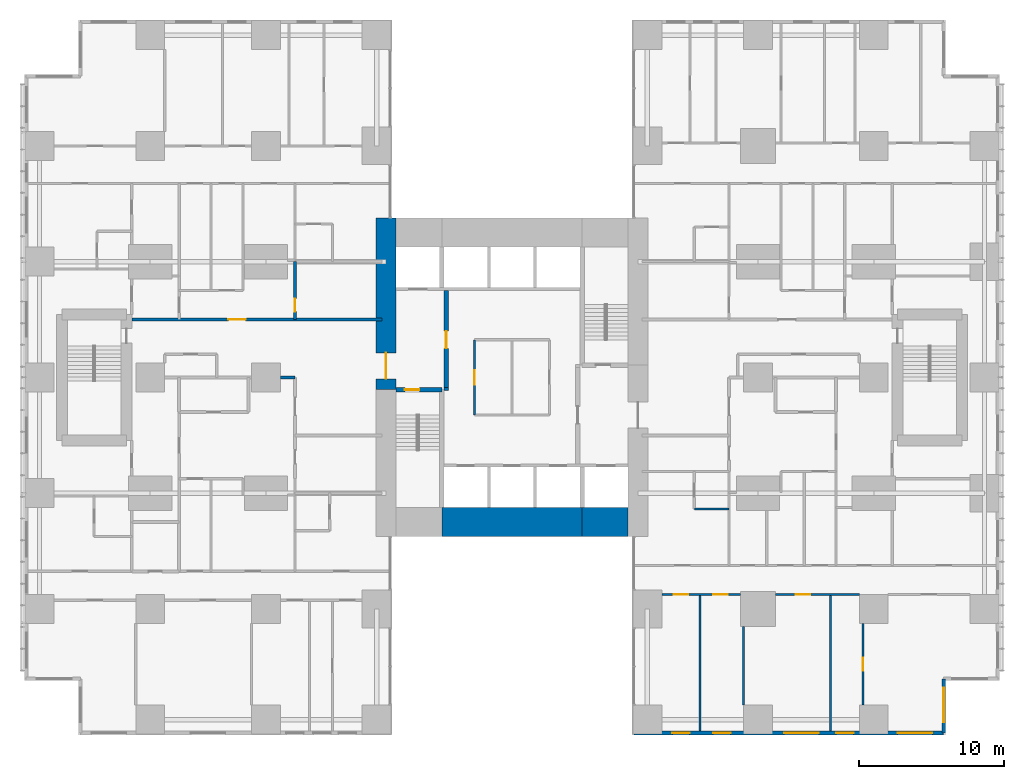
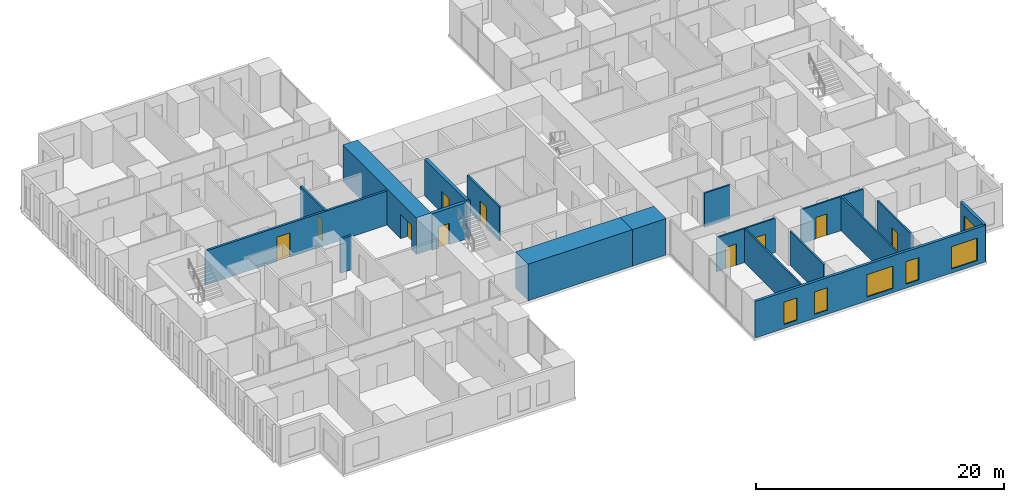
# One storey, part 14 of 20: 19 walls, 10 doors, 6 windows, 16 openings.
"""IFC4 building model written with IfcOpenShell, lengths in metres."""

import ifcopenshell
import ifcopenshell.guid

model = None  # the IFC model being written
_history = None  # IfcOwnerHistory: only IFC2X3 demands one
_inside = {}  # id of a spatial element -> (the spatial element, [elements in it])
_under = {}  # id of a project, library or spatial element -> (it, [spatial elements below it])
_declared = {}  # id of a project -> (the project, [libraries it declares])
_typed = {}  # id of a type object -> (the type object, [elements of that type])
_made_of = {}  # id of a material, layer set ... -> (it, [elements and type objects made of it])


def new_model(schema):
    """Start an empty IFC model of exactly this schema.

    Asked for "IFC4X3", IfcOpenShell would pick the latest addendum, in which some entities
    have other attributes; the version numbers below select the first issue.
    IFC2X3 requires an IfcOwnerHistory on every rooted entity: one is made here for all.
    """
    global model, _history
    if schema == "IFC4X3":
        model = ifcopenshell.file(schema_version=(4, 3, 0, 0))
    else:
        model = ifcopenshell.file(schema=schema)
    _inside.clear()
    _under.clear()
    _declared.clear()
    _typed.clear()
    _made_of.clear()
    _history = None
    if model.schema == "IFC2X3":
        org = make("IfcOrganization", Name="unknown")
        user = make(
            "IfcPersonAndOrganization",
            ThePerson=make("IfcPerson", FamilyName="unknown"),
            TheOrganization=org,
        )
        app = make(
            "IfcApplication",
            ApplicationDeveloper=org,
            Version="unknown",
            ApplicationFullName="unknown",
            ApplicationIdentifier="unknown",
        )
        _history = make(
            "IfcOwnerHistory",
            OwningUser=user,
            OwningApplication=app,
            ChangeAction="ADDED",
            CreationDate=0,
        )
    return model


def make(cls, **values):
    """One entity of the class cls with the attributes given. An attribute that is None is left unset."""
    return model.create_entity(
        cls, **{name: value for name, value in values.items() if value is not None}
    )


def rooted(cls, **values):
    """An entity with a GlobalId (a new one), such as an element, a storey or a relation."""
    return make(cls, GlobalId=ifcopenshell.guid.new(), OwnerHistory=_history, **values)


def si_unit(unit_type, name, prefix=None):
    """IfcSIUnit, for example si_unit("LENGTHUNIT", "METRE", prefix="MILLI")."""
    return make("IfcSIUnit", UnitType=unit_type, Prefix=prefix, Name=name)


def assignment(units):
    """IfcUnitAssignment: the units of a project."""
    return None if units is None else make("IfcUnitAssignment", Units=units)


def point(xyz):
    """IfcCartesianPoint."""
    return None if xyz is None else make("IfcCartesianPoint", Coordinates=xyz)


def direction(xyz):
    """IfcDirection."""
    return None if xyz is None else make("IfcDirection", DirectionRatios=xyz)


def frame(location, z_axis=None, x_axis=None):
    """IfcAxis2Placement3D, a coordinate frame: its origin and axes. An axis left out is left unset."""
    return make(
        "IfcAxis2Placement3D",
        Location=point(location),
        Axis=direction(z_axis),
        RefDirection=direction(x_axis),
    )


def frame_2d(location, x_axis=None):
    """IfcAxis2Placement2D, a coordinate frame in the plane: its origin and x axis."""
    return make(
        "IfcAxis2Placement2D", Location=point(location), RefDirection=direction(x_axis)
    )


def origin():
    """The frame at (0, 0, 0) with its axes left unset."""
    return frame((0.0, 0.0, 0.0))


def place(relative_to, where):
    """IfcLocalPlacement: puts the frame where relative to a parent placement (None: the world)."""
    return make(
        "IfcLocalPlacement", PlacementRelTo=relative_to, RelativePlacement=where
    )


def context(
    kind, dimensions, precision=None, world=None, true_north=None, identifier=None
):
    """IfcGeometricRepresentationContext, for example the 3D "Model" context."""
    return make(
        "IfcGeometricRepresentationContext",
        ContextIdentifier=identifier,
        ContextType=kind,
        CoordinateSpaceDimension=dimensions,
        Precision=precision,
        WorldCoordinateSystem=world,
        TrueNorth=true_north,
    )


def subcontext(parent, identifier, kind, view, scale=None):
    """IfcGeometricRepresentationSubContext, for example "Body" below "Model"."""
    return make(
        "IfcGeometricRepresentationSubContext",
        ContextIdentifier=identifier,
        ContextType=kind,
        ParentContext=parent,
        TargetScale=scale,
        TargetView=view,
    )


def project(units=None, contexts=None):
    """IfcProject with its units and contexts."""
    return rooted(
        "IfcProject",
        Name="project",
        RepresentationContexts=contexts,
        UnitsInContext=assignment(units),
    )


def spatial(cls, under=None, at=None, **own):
    """A site, building, storey or space (cls), placed at a placement, below another one or the project."""
    s = rooted(cls, ObjectPlacement=at, **own)
    if under is not None:
        _under.setdefault(under.id(), (under, []))[1].append(s)
    return s


def profile(cls, at=None, kind="AREA", **sizes):
    """A parametric profile (cls). Its sizes go by their IFC names, for example OverallWidth=200.0."""
    return make(cls, ProfileType=kind, Position=at, **sizes)


def rectangle(**sizes):
    """IfcRectangleProfileDef."""
    return profile("IfcRectangleProfileDef", **sizes)


def extrude(swept, where, along, depth):
    """IfcExtrudedAreaSolid: the profile swept, set in the frame where, extruded along a direction by depth."""
    return make(
        "IfcExtrudedAreaSolid",
        SweptArea=swept,
        Position=where,
        ExtrudedDirection=direction(along),
        Depth=depth,
    )


def shape(context_of_items, identifier, shape_type, items):
    """IfcShapeRepresentation: the items that make up one representation, for example the "Body"."""
    return make(
        "IfcShapeRepresentation",
        ContextOfItems=context_of_items,
        RepresentationIdentifier=identifier,
        RepresentationType=shape_type,
        Items=items,
    )


def material(Name=None, Category=None):
    """IfcMaterial."""
    return make("IfcMaterial", Name=Name, Category=Category)


def layer(
    of_material, thickness, ventilated=None, Name=None, Category=None, Priority=None
):
    """IfcMaterialLayer: one layer of a wall or slab, of a material (None: an air gap)."""
    return make(
        "IfcMaterialLayer",
        Material=of_material,
        LayerThickness=thickness,
        IsVentilated=ventilated,
        Name=Name,
        Category=Category,
        Priority=Priority,
    )


def layer_set(layers, Name=None):
    """IfcMaterialLayerSet."""
    return make("IfcMaterialLayerSet", MaterialLayers=layers, LayerSetName=Name)


def made_of(thing, what):
    """Note that an element or type object is made of a material, layer set ...; save() writes the relation."""
    if what is not None:
        _made_of.setdefault(what.id(), (what, []))[1].append(thing)
    return thing


def type_object(cls, material=None, **own):
    """A type object (cls), such as IfcWallType, which elements share."""
    return made_of(rooted(cls, **own), material)


def element(
    cls,
    number,
    at=None,
    inside=None,
    cuts=None,
    type_object=None,
    material=None,
    context=None,
    identifier="Body",
    shape_type=None,
    held_by="IfcProductDefinitionShape",
    body=None,
    shapes=None,
    **own,
):
    """One element of the class cls, such as IfcWall. Its Tag is "e" and its number.

    at: its placement. inside: the storey or other place that contains it. cuts: it is an
    opening in that element (IfcRelVoidsElement). A single representation is given by context,
    identifier, shape_type and body (its items); several are given by shapes. held_by: the class
    of the entity that holds the representations. save() writes the other relations.
    """
    e = rooted(cls, Tag="e%d" % number, ObjectPlacement=at, **own)
    if body is not None:
        shapes = [shape(context, identifier, shape_type, body)]
    if shapes is not None:
        e.Representation = make(held_by, Representations=shapes)
    if inside is not None:
        _inside.setdefault(inside.id(), (inside, []))[1].append(e)
    if cuts is not None:
        rooted(
            "IfcRelVoidsElement", RelatingBuildingElement=cuts, RelatedOpeningElement=e
        )
    if type_object is not None:
        _typed.setdefault(type_object.id(), (type_object, []))[1].append(e)
    return made_of(e, material)


def fill(opening, filler):
    """IfcRelFillsElement: the door or window that sits in an opening."""
    return rooted(
        "IfcRelFillsElement",
        RelatingOpeningElement=opening,
        RelatedBuildingElement=filler,
    )


def aggregate(whole, parts):
    """IfcRelAggregates: a whole, such as a stair, and the parts it consists of."""
    return rooted("IfcRelAggregates", RelatingObject=whole, RelatedObjects=parts)


def save(model, path):
    """Write the relations noted so far, then the file.

    IfcRelAggregates (storeys below a building ...), IfcRelContainedInSpatialStructure (elements
    in a storey), IfcRelDefinesByType, IfcRelAssociatesMaterial and IfcRelDeclares: one each for
    every whole, place, type object, material and project.
    """
    for whole, parts in _under.values():
        aggregate(whole, parts)
    for where, things in _inside.values():
        rooted(
            "IfcRelContainedInSpatialStructure",
            RelatedElements=things,
            RelatingStructure=where,
        )
    for kind, things in _typed.values():
        rooted("IfcRelDefinesByType", RelatedObjects=things, RelatingType=kind)
    for what, things in _made_of.values():
        rooted("IfcRelAssociatesMaterial", RelatedObjects=things, RelatingMaterial=what)
    for by, libraries in _declared.values():
        rooted("IfcRelDeclares", RelatingContext=by, RelatedDefinitions=libraries)
    model.write(path)


model = new_model("IFC4")

# Units and contexts
model_context = context("Model", 3, precision=1e-05, world=origin(), true_north=direction((0.0, 1.0)))
body_context = subcontext(model_context, "Body", "Model", "MODEL_VIEW")
ifc_project = project(units=[si_unit("LENGTHUNIT", "METRE"), si_unit("AREAUNIT", "SQUARE_METRE"), si_unit("VOLUMEUNIT", "CUBIC_METRE"), si_unit("PLANEANGLEUNIT", "RADIAN"), si_unit("MASSUNIT", "GRAM", prefix="KILO")], contexts=[model_context])

# Site, building, storey
site_placement = place(None, origin())
site = spatial("IfcSite", under=ifc_project, at=site_placement, CompositionType="ELEMENT")
building_placement = place(site_placement, origin())
building = spatial("IfcBuilding", under=site, at=building_placement, Name="Cleftline Residences", CompositionType="ELEMENT")
storey_placement = place(building_placement, frame((0.0, 0.0, 153.800048828125)))
storey = spatial("IfcBuildingStorey", under=building, at=storey_placement, Name="L40", CompositionType="ELEMENT", Elevation=153.800048828125)

# Wall, opening, door
ifc_material_1 = material(Name="Concrete B70", Category="concrete")
ifc_layer_1 = layer(ifc_material_1, 1.39990234375)
ifc_layer_set_1 = layer_set([ifc_layer_1], Name="CORE WALL 1400")
wall_type_1 = type_object("IfcWallType", Name="CORE WALL 1400", PredefinedType="SHEAR", material=ifc_layer_set_1)
wall_1_placement = place(storey_placement, frame((24.300048828125, 23.14990234375, 0.0), z_axis=(0.0, 0.0, 1.0), x_axis=(0.0, 1.0, 0.0)))
wall_1 = element("IfcWall", 1, at=wall_1_placement, inside=storey, type_object=wall_type_1, Name="Core wall W", PredefinedType="SHEAR", context=body_context, shape_type="SweptSolid", body=[
    extrude(rectangle(XDim=11.85009765625, YDim=1.39990234375, at=frame_2d((5.925048828125, 0.0))), origin(), (0.0, 0.0, 1.0), 3.599853515625),
])
opening_1_placement = place(wall_1_placement, frame((0.75, 0.0, 0.0)))
opening_1 = element("IfcOpeningElement", 2, at=opening_1_placement, cuts=wall_1, Name="Opening D7", PredefinedType="OPENING", context=body_context, shape_type="SweptSolid", body=[
    extrude(rectangle(XDim=1.800048828125, YDim=2.39990234375, at=frame_2d((0.89990234375, 1.199951171875))), frame((0.0, 0.7099609375, 0.0), z_axis=(0.0, -1.0, 0.0), x_axis=(1.0, 0.0, 0.0)), (0.0, 0.0, 1.0), 1.419921875),
])
ifc_material_2 = material(Name="Steel", Category="steel")
door_type_1 = type_object("IfcDoorType", Name="WING DOOR 1800X2400", OperationType="DOUBLE_DOOR_DOUBLE_SWING", PredefinedType="DOOR", material=ifc_material_2)
door_1_placement = place(opening_1_placement, origin())
door_1 = element("IfcDoor", 3, at=door_1_placement, inside=storey, type_object=door_type_1, Name="West wing door", OperationType="DOUBLE_DOOR_DOUBLE_SWING", OverallHeight=2.39990234375, OverallWidth=1.800048828125, PredefinedType="DOOR", context=body_context, shape_type="SweptSolid", body=[
    extrude(rectangle(XDim=1.800048828125, YDim=2.39990234375, at=frame_2d((0.89990234375, 1.199951171875))), frame((0.0, 0.02490234375, 0.0), z_axis=(0.0, -1.0, 0.0), x_axis=(1.0, 0.0, 0.0)), (0.0, 0.0, 1.0), 0.050048828125),
])
fill(opening_1, door_1)

# Walls
ifc_material_3 = material(Name="Concrete B70", Category="concrete")
ifc_layer_2 = layer(ifc_material_3, 2.0)
ifc_layer_set_2 = layer_set([ifc_layer_2], Name="CORE WALL 2000")
wall_type_2 = type_object("IfcWallType", Name="CORE WALL 2000", PredefinedType="SHEAR", material=ifc_layer_set_2)
wall_2_placement = place(storey_placement, frame((28.14990234375, 14.0, 0.0), z_axis=(0.0, 0.0, 1.0), x_axis=(1.0, 0.0, 0.0)))
element("IfcWall", 4, at=wall_2_placement, inside=storey, type_object=wall_type_2, Name="Core wall S2", PredefinedType="SHEAR", context=body_context, shape_type="SweptSolid", body=[
    extrude(rectangle(XDim=9.7001953125, YDim=2.0, at=frame_2d((4.85009765625, 0.0))), origin(), (0.0, 0.0, 1.0), 3.599853515625),
])
wall_3_placement = place(storey_placement, frame((37.85009765625, 14.0, 0.0), z_axis=(0.0, 0.0, 1.0), x_axis=(1.0, 0.0, 0.0)))
element("IfcWall", 5, at=wall_3_placement, inside=storey, type_object=wall_type_2, Name="Core wall S3", PredefinedType="SHEAR", context=body_context, shape_type="SweptSolid", body=[
    extrude(rectangle(XDim=3.14990234375, YDim=2.0, at=frame_2d((1.574951171875, 0.0))), origin(), (0.0, 0.0, 1.0), 3.599853515625),
])

# Wall, opening, door
ifc_material_4 = material(Name="Concrete B70", Category="concrete")
ifc_layer_3 = layer(ifc_material_4, 0.300048828125)
ifc_layer_set_3 = layer_set([ifc_layer_3], Name="CORE WALL 300")
wall_type_3 = type_object("IfcWallType", Name="CORE WALL 300", PredefinedType="SHEAR", material=ifc_layer_set_3)
wall_4_placement = place(storey_placement, frame((25.0, 23.14990234375, 0.0), z_axis=(0.0, 0.0, 1.0), x_axis=(1.0, 0.0, 0.0)))
wall_4 = element("IfcWall", 6, at=wall_4_placement, inside=storey, type_object=wall_type_3, Name="Core wall SA-N", PredefinedType="SHEAR", context=body_context, shape_type="SweptSolid", body=[
    extrude(rectangle(XDim=3.14990234375, YDim=0.300048828125, at=frame_2d((1.574951171875, 0.0))), origin(), (0.0, 0.0, 1.0), 3.599853515625),
])
opening_2_placement = place(wall_4_placement, frame((0.60009765625, 0.0, 0.0)))
opening_2 = element("IfcOpeningElement", 7, at=opening_2_placement, cuts=wall_4, Name="Opening D5", PredefinedType="OPENING", context=body_context, shape_type="SweptSolid", body=[
    extrude(rectangle(XDim=1.0, YDim=2.10009765625, at=frame_2d((0.5, 1.050048828125))), frame((0.0, 0.159912109375, 0.0), z_axis=(0.0, -1.0, 0.0), x_axis=(1.0, 0.0, 0.0)), (0.0, 0.0, 1.0), 0.320068359375),
])
ifc_material_5 = material(Name="Steel", Category="steel")
door_type_2 = type_object("IfcDoorType", Name="STAIR DOOR 1000X2100", OperationType="SINGLE_SWING_LEFT", PredefinedType="DOOR", material=ifc_material_5)
door_2_placement = place(opening_2_placement, origin())
door_2 = element("IfcDoor", 8, at=door_2_placement, inside=storey, type_object=door_type_2, Name="Stair A door", OperationType="SINGLE_SWING_RIGHT", OverallHeight=2.10009765625, OverallWidth=1.0, PredefinedType="DOOR", context=body_context, shape_type="SweptSolid", body=[
    extrude(rectangle(XDim=1.0, YDim=2.10009765625, at=frame_2d((0.5, 1.050048828125))), frame((0.0, 0.02490234375, 0.0), z_axis=(0.0, -1.0, 0.0), x_axis=(1.0, 0.0, 0.0)), (0.0, 0.0, 1.0), 0.050048828125),
])
fill(opening_2, door_2)

# Wall, openings, windows
ifc_material_6 = material(Name="Rendered reinforced concrete blockwork", Category="masonry")
ifc_layer_4 = layer(ifc_material_6, 0.25)
ifc_layer_set_4 = layer_set([ifc_layer_4], Name="EXTERNAL WALL 250")
wall_type_4 = type_object("IfcWallType", Name="EXTERNAL WALL 250", PredefinedType="SOLIDWALL", material=ifc_layer_set_4)
wall_5_placement = place(storey_placement, frame((41.425048828125, -0.574951171875, 0.0), z_axis=(0.0, 0.0, 1.0), x_axis=(1.0, 0.0, 0.0)))
wall_5 = element("IfcWall", 9, at=wall_5_placement, inside=storey, type_object=wall_type_4, Name="External wall", PredefinedType="SOLIDWALL", context=body_context, shape_type="SweptSolid", body=[
    extrude(rectangle(XDim=21.39990234375, YDim=0.25, at=frame_2d((10.699951171875, 0.0))), origin(), (0.0, 0.0, 1.0), 3.599853515625),
])
opening_3_placement = place(wall_5_placement, frame((2.64990234375, 0.0, 0.39990234375)))
opening_3 = element("IfcOpeningElement", 10, at=opening_3_placement, cuts=wall_5, Name="Opening W11", PredefinedType="OPENING", context=body_context, shape_type="SweptSolid", body=[
    extrude(rectangle(XDim=1.199951171875, YDim=2.199951171875, at=frame_2d((0.60009765625, 1.10009765625))), frame((0.0, 0.135009765625, 0.0), z_axis=(0.0, -1.0, 0.0), x_axis=(1.0, 0.0, 0.0)), (0.0, 0.0, 1.0), 0.27001953125),
])
opening_4_placement = place(wall_5_placement, frame((5.47509765625, 0.0, 0.39990234375)))
opening_4 = element("IfcOpeningElement", 11, at=opening_4_placement, cuts=wall_5, Name="Opening W11", PredefinedType="OPENING", context=body_context, shape_type="SweptSolid", body=[
    extrude(rectangle(XDim=1.199951171875, YDim=2.199951171875, at=frame_2d((0.60009765625, 1.10009765625))), frame((0.0, 0.135009765625, 0.0), z_axis=(0.0, -1.0, 0.0), x_axis=(1.0, 0.0, 0.0)), (0.0, 0.0, 1.0), 0.27001953125),
])
opening_5_placement = place(wall_5_placement, frame((10.375, 0.0, 0.39990234375)))
opening_5 = element("IfcOpeningElement", 12, at=opening_5_placement, cuts=wall_5, Name="Opening W12", PredefinedType="OPENING", context=body_context, shape_type="SweptSolid", body=[
    extrude(rectangle(XDim=2.39990234375, YDim=2.199951171875, at=frame_2d((1.199951171875, 1.10009765625))), frame((0.0, 0.135009765625, 0.0), z_axis=(0.0, -1.0, 0.0), x_axis=(1.0, 0.0, 0.0)), (0.0, 0.0, 1.0), 0.27001953125),
])
opening_6_placement = place(wall_5_placement, frame((13.97509765625, 0.0, 0.39990234375)))
opening_6 = element("IfcOpeningElement", 13, at=opening_6_placement, cuts=wall_5, Name="Opening W11", PredefinedType="OPENING", context=body_context, shape_type="SweptSolid", body=[
    extrude(rectangle(XDim=1.199951171875, YDim=2.199951171875, at=frame_2d((0.60009765625, 1.10009765625))), frame((0.0, 0.135009765625, 0.0), z_axis=(0.0, -1.0, 0.0), x_axis=(1.0, 0.0, 0.0)), (0.0, 0.0, 1.0), 0.27001953125),
])
opening_7_placement = place(wall_5_placement, frame((18.22509765625, 0.0, 0.39990234375)))
opening_7 = element("IfcOpeningElement", 14, at=opening_7_placement, cuts=wall_5, Name="Opening W12", PredefinedType="OPENING", context=body_context, shape_type="SweptSolid", body=[
    extrude(rectangle(XDim=2.39990234375, YDim=2.199951171875, at=frame_2d((1.199951171875, 1.10009765625))), frame((0.0, 0.135009765625, 0.0), z_axis=(0.0, -1.0, 0.0), x_axis=(1.0, 0.0, 0.0)), (0.0, 0.0, 1.0), 0.27001953125),
])
ifc_material_7 = material(Name="Aluminium frame, clear double glazing", Category="aluminium")
window_type_1 = type_object("IfcWindowType", Name="WINDOW 1200X2200", PartitioningType="DOUBLE_PANEL_VERTICAL", PredefinedType="WINDOW", material=ifc_material_7)
window_1_placement = place(opening_3_placement, origin())
window_1 = element("IfcWindow", 15, at=window_1_placement, inside=storey, type_object=window_type_1, Name="Window", OverallHeight=2.199951171875, OverallWidth=1.199951171875, PartitioningType="SINGLE_PANEL", PredefinedType="WINDOW", context=body_context, shape_type="SweptSolid", body=[
    extrude(rectangle(XDim=1.199951171875, YDim=2.199951171875, at=frame_2d((0.60009765625, 1.10009765625))), frame((0.0, 0.030029296875, 0.0), z_axis=(0.0, -1.0, 0.0), x_axis=(1.0, 0.0, 0.0)), (0.0, 0.0, 1.0), 0.06005859375),
])
fill(opening_3, window_1)
window_2_placement = place(opening_4_placement, origin())
window_2 = element("IfcWindow", 16, at=window_2_placement, inside=storey, type_object=window_type_1, Name="Window", OverallHeight=2.199951171875, OverallWidth=1.199951171875, PartitioningType="SINGLE_PANEL", PredefinedType="WINDOW", context=body_context, shape_type="SweptSolid", body=[
    extrude(rectangle(XDim=1.199951171875, YDim=2.199951171875, at=frame_2d((0.60009765625, 1.10009765625))), frame((0.0, 0.030029296875, 0.0), z_axis=(0.0, -1.0, 0.0), x_axis=(1.0, 0.0, 0.0)), (0.0, 0.0, 1.0), 0.06005859375),
])
fill(opening_4, window_2)
window_3_placement = place(opening_6_placement, origin())
window_3 = element("IfcWindow", 17, at=window_3_placement, inside=storey, type_object=window_type_1, Name="Window", OverallHeight=2.199951171875, OverallWidth=1.199951171875, PartitioningType="SINGLE_PANEL", PredefinedType="WINDOW", context=body_context, shape_type="SweptSolid", body=[
    extrude(rectangle(XDim=1.199951171875, YDim=2.199951171875, at=frame_2d((0.60009765625, 1.10009765625))), frame((0.0, 0.030029296875, 0.0), z_axis=(0.0, -1.0, 0.0), x_axis=(1.0, 0.0, 0.0)), (0.0, 0.0, 1.0), 0.06005859375),
])
fill(opening_6, window_3)
ifc_material_8 = material(Name="Aluminium frame, clear double glazing", Category="aluminium")
window_type_2 = type_object("IfcWindowType", Name="WINDOW 2400X2200", PartitioningType="DOUBLE_PANEL_VERTICAL", PredefinedType="WINDOW", material=ifc_material_8)
window_4_placement = place(opening_5_placement, origin())
window_4 = element("IfcWindow", 18, at=window_4_placement, inside=storey, type_object=window_type_2, Name="Window", OverallHeight=2.199951171875, OverallWidth=2.39990234375, PartitioningType="SINGLE_PANEL", PredefinedType="WINDOW", context=body_context, shape_type="SweptSolid", body=[
    extrude(rectangle(XDim=2.39990234375, YDim=2.199951171875, at=frame_2d((1.199951171875, 1.10009765625))), frame((0.0, 0.030029296875, 0.0), z_axis=(0.0, -1.0, 0.0), x_axis=(1.0, 0.0, 0.0)), (0.0, 0.0, 1.0), 0.06005859375),
])
fill(opening_5, window_4)
window_5_placement = place(opening_7_placement, origin())
window_5 = element("IfcWindow", 19, at=window_5_placement, inside=storey, type_object=window_type_2, Name="Window", OverallHeight=2.199951171875, OverallWidth=2.39990234375, PartitioningType="SINGLE_PANEL", PredefinedType="WINDOW", context=body_context, shape_type="SweptSolid", body=[
    extrude(rectangle(XDim=2.39990234375, YDim=2.199951171875, at=frame_2d((1.199951171875, 1.10009765625))), frame((0.0, 0.030029296875, 0.0), z_axis=(0.0, -1.0, 0.0), x_axis=(1.0, 0.0, 0.0)), (0.0, 0.0, 1.0), 0.06005859375),
])
fill(opening_7, window_5)

# Wall, opening, window
wall_6_placement = place(storey_placement, frame((62.824951171875, -0.574951171875, 0.0), z_axis=(0.0, 0.0, 1.0), x_axis=(0.0, 1.0, 0.0)))
wall_6 = element("IfcWall", 20, at=wall_6_placement, inside=storey, type_object=wall_type_4, Name="External wall", PredefinedType="SOLIDWALL", context=body_context, shape_type="SweptSolid", body=[
    extrude(rectangle(XDim=3.75, YDim=0.25, at=frame_2d((1.875, 0.0))), origin(), (0.0, 0.0, 1.0), 3.599853515625),
])
opening_8_placement = place(wall_6_placement, frame((0.737548828125, 0.0, 0.39990234375)))
opening_8 = element("IfcOpeningElement", 21, at=opening_8_placement, cuts=wall_6, Name="Opening W12", PredefinedType="OPENING", context=body_context, shape_type="SweptSolid", body=[
    extrude(rectangle(XDim=2.39990234375, YDim=2.199951171875, at=frame_2d((1.199951171875, 1.10009765625))), frame((0.0, 0.135009765625, 0.0), z_axis=(0.0, -1.0, 0.0), x_axis=(1.0, 0.0, 0.0)), (0.0, 0.0, 1.0), 0.27001953125),
])
window_6_placement = place(opening_8_placement, origin())
window_6 = element("IfcWindow", 22, at=window_6_placement, inside=storey, type_object=window_type_2, Name="Window", OverallHeight=2.199951171875, OverallWidth=2.39990234375, PartitioningType="SINGLE_PANEL", PredefinedType="WINDOW", context=body_context, shape_type="SweptSolid", body=[
    extrude(rectangle(XDim=2.39990234375, YDim=2.199951171875, at=frame_2d((1.199951171875, 1.10009765625))), frame((0.0, 0.030029296875, 0.0), z_axis=(0.0, -1.0, 0.0), x_axis=(1.0, 0.0, 0.0)), (0.0, 0.0, 1.0), 0.06005859375),
])
fill(opening_8, window_6)

# Wall
ifc_material_9 = material(Name="Concrete blockwork, fire rated", Category="masonry")
ifc_layer_5 = layer(ifc_material_9, 0.199951171875)
ifc_layer_set_5 = layer_set([ifc_layer_5], Name="FIRE WALL 200")
wall_type_5 = type_object("IfcWallType", Name="FIRE WALL 200", PredefinedType="PARTITIONING", material=ifc_layer_set_5)
wall_7_placement = place(storey_placement, frame((17.0, 24.0, 0.0), z_axis=(0.0, 0.0, 1.0), x_axis=(1.0, 0.0, 0.0)))
element("IfcWall", 23, at=wall_7_placement, inside=storey, type_object=wall_type_5, Name="Fire separating wall", PredefinedType="PARTITIONING", context=body_context, shape_type="SweptSolid", body=[
    extrude(rectangle(XDim=1.0, YDim=0.199951171875, at=frame_2d((0.5, 0.0))), origin(), (0.0, 0.0, 1.0), 3.349853515625),
])

# Wall, opening, door
wall_8_placement = place(storey_placement, frame((6.72509765625, 28.0, 0.0), z_axis=(0.0, 0.0, 1.0), x_axis=(1.0, 0.0, 0.0)))
wall_8 = element("IfcWall", 24, at=wall_8_placement, inside=storey, type_object=wall_type_5, Name="Fire separating wall", PredefinedType="PARTITIONING", context=body_context, shape_type="SweptSolid", body=[
    extrude(rectangle(XDim=17.27490234375, YDim=0.199951171875, at=frame_2d((8.637451171875, 0.0))), origin(), (0.0, 0.0, 1.0), 3.349853515625),
])
opening_9_placement = place(wall_8_placement, frame((6.675048828125, 0.0, 0.0)))
opening_9 = element("IfcOpeningElement", 25, at=opening_9_placement, cuts=wall_8, Name="Opening D4", PredefinedType="OPENING", context=body_context, shape_type="SweptSolid", body=[
    extrude(rectangle(XDim=1.199951171875, YDim=2.39990234375, at=frame_2d((0.60009765625, 1.199951171875))), frame((0.0, 0.10986328125, 0.0), z_axis=(0.0, -1.0, 0.0), x_axis=(1.0, 0.0, 0.0)), (0.0, 0.0, 1.0), 0.219970703125),
])
ifc_material_10 = material(Name="Timber veneer on solid core", Category="wood")
door_type_3 = type_object("IfcDoorType", Name="APARTMENT ENTRANCE DOOR 1200X2400", OperationType="SINGLE_SWING_RIGHT", PredefinedType="DOOR", material=ifc_material_10)
door_3_placement = place(opening_9_placement, origin())
door_3 = element("IfcDoor", 26, at=door_3_placement, inside=storey, type_object=door_type_3, Name="Door to residence entrance foyer", OperationType="SINGLE_SWING_RIGHT", OverallHeight=2.39990234375, OverallWidth=1.199951171875, PredefinedType="DOOR", context=body_context, shape_type="SweptSolid", body=[
    extrude(rectangle(XDim=1.199951171875, YDim=2.39990234375, at=frame_2d((0.60009765625, 1.199951171875))), frame((0.0, 0.02490234375, 0.0), z_axis=(0.0, -1.0, 0.0), x_axis=(1.0, 0.0, 0.0)), (0.0, 0.0, 1.0), 0.050048828125),
])
fill(opening_9, door_3)

wall_9_placement = place(storey_placement, frame((18.0, 28.0, 0.0), z_axis=(0.0, 0.0, 1.0), x_axis=(0.0, 1.0, 0.0)))
wall_9 = element("IfcWall", 27, at=wall_9_placement, inside=storey, type_object=wall_type_5, Name="Fire separating wall", PredefinedType="PARTITIONING", context=body_context, shape_type="SweptSolid", body=[
    extrude(rectangle(XDim=4.0, YDim=0.199951171875, at=frame_2d((2.0, 0.0))), origin(), (0.0, 0.0, 1.0), 3.349853515625),
])
opening_10_placement = place(wall_9_placement, frame((0.550048828125, 0.0, 0.0)))
opening_10 = element("IfcOpeningElement", 28, at=opening_10_placement, cuts=wall_9, Name="Opening D1F30", PredefinedType="OPENING", context=body_context, shape_type="SweptSolid", body=[
    extrude(rectangle(XDim=0.89990234375, YDim=2.10009765625, at=frame_2d((0.449951171875, 1.050048828125))), frame((0.0, 0.10986328125, 0.0), z_axis=(0.0, -1.0, 0.0), x_axis=(1.0, 0.0, 0.0)), (0.0, 0.0, 1.0), 0.219970703125),
])
ifc_material_11 = material(Name="Timber veneer on solid core", Category="wood")
door_type_4 = type_object("IfcDoorType", Name="DOOR 900X2100 EI 30", OperationType="SINGLE_SWING_LEFT", PredefinedType="DOOR", material=ifc_material_11)
door_4_placement = place(opening_10_placement, origin())
door_4 = element("IfcDoor", 29, at=door_4_placement, inside=storey, type_object=door_type_4, Name="Door to utility room and wc", OperationType="SINGLE_SWING_RIGHT", OverallHeight=2.10009765625, OverallWidth=0.89990234375, PredefinedType="DOOR", context=body_context, shape_type="SweptSolid", body=[
    extrude(rectangle(XDim=0.89990234375, YDim=2.10009765625, at=frame_2d((0.449951171875, 1.050048828125))), frame((0.0, 0.02490234375, 0.0), z_axis=(0.0, -1.0, 0.0), x_axis=(1.0, 0.0, 0.0)), (0.0, 0.0, 1.0), 0.050048828125),
])
fill(opening_10, door_4)

# Wall
wall_10_placement = place(storey_placement, frame((28.300048828125, 23.199951171875, 0.0), z_axis=(0.0, 0.0, 1.0), x_axis=(1.0, 0.0, 0.0)))
element("IfcWall", 30, at=wall_10_placement, inside=storey, type_object=wall_type_5, Name="Fire separating wall", PredefinedType="PARTITIONING", context=body_context, shape_type="SweptSolid", body=[
    extrude(rectangle(XDim=0.300048828125, YDim=0.199951171875, at=frame_2d((0.14990234375, 0.0))), origin(), (0.0, 0.0, 1.0), 3.599853515625),
])

# Wall, openings, doors
ifc_material_12 = material(Name="Gypsum board on steel studs", Category="steel")
ifc_layer_6 = layer(ifc_material_12, 0.14990234375)
ifc_layer_set_6 = layer_set([ifc_layer_6], Name="PARTITION 150")
wall_type_6 = type_object("IfcWallType", Name="PARTITION 150", PredefinedType="PARTITIONING", material=ifc_layer_set_6)
wall_11_placement = place(storey_placement, frame((43.35009765625, 9.0, 0.0), z_axis=(0.0, 0.0, 1.0), x_axis=(1.0, 0.0, 0.0)))
wall_11 = element("IfcWall", 31, at=wall_11_placement, inside=storey, type_object=wall_type_6, Name="Partition", PredefinedType="PARTITIONING", context=body_context, shape_type="SweptSolid", body=[
    extrude(rectangle(XDim=5.449951171875, YDim=0.14990234375, at=frame_2d((2.72509765625, 0.0))), origin(), (0.0, 0.0, 1.0), 3.349853515625),
])
opening_11_placement = place(wall_11_placement, frame((3.550048828125, 0.0, 0.0)))
opening_11 = element("IfcOpeningElement", 32, at=opening_11_placement, cuts=wall_11, Name="Opening D2", PredefinedType="OPENING", context=body_context, shape_type="SweptSolid", body=[
    extrude(rectangle(XDim=1.0, YDim=2.10009765625, at=frame_2d((0.5, 1.050048828125))), frame((0.0, 0.0849609375, 0.0), z_axis=(0.0, -1.0, 0.0), x_axis=(1.0, 0.0, 0.0)), (0.0, 0.0, 1.0), 0.169921875),
])
opening_12_placement = place(wall_11_placement, frame((0.824951171875, 0.0, 0.0)))
opening_12 = element("IfcOpeningElement", 33, at=opening_12_placement, cuts=wall_11, Name="Opening D2", PredefinedType="OPENING", context=body_context, shape_type="SweptSolid", body=[
    extrude(rectangle(XDim=1.0, YDim=2.10009765625, at=frame_2d((0.5, 1.050048828125))), frame((0.0, 0.0849609375, 0.0), z_axis=(0.0, -1.0, 0.0), x_axis=(1.0, 0.0, 0.0)), (0.0, 0.0, 1.0), 0.169921875),
])
ifc_material_13 = material(Name="Timber veneer on solid core", Category="wood")
door_type_5 = type_object("IfcDoorType", Name="DOOR 1000X2100", OperationType="SINGLE_SWING_LEFT", PredefinedType="DOOR", material=ifc_material_13)
door_5_placement = place(opening_11_placement, origin())
door_5 = element("IfcDoor", 34, at=door_5_placement, inside=storey, type_object=door_type_5, Name="Door to breakfast room", OperationType="SINGLE_SWING_LEFT", OverallHeight=2.10009765625, OverallWidth=1.0, PredefinedType="DOOR", context=body_context, shape_type="SweptSolid", body=[
    extrude(rectangle(XDim=1.0, YDim=2.10009765625, at=frame_2d((0.5, 1.050048828125))), frame((0.0, 0.02490234375, 0.0), z_axis=(0.0, -1.0, 0.0), x_axis=(1.0, 0.0, 0.0)), (0.0, 0.0, 1.0), 0.050048828125),
])
fill(opening_11, door_5)
door_6_placement = place(opening_12_placement, origin())
door_6 = element("IfcDoor", 35, at=door_6_placement, inside=storey, type_object=door_type_5, Name="Door to show kitchen", OperationType="SINGLE_SWING_RIGHT", OverallHeight=2.10009765625, OverallWidth=1.0, PredefinedType="DOOR", context=body_context, shape_type="SweptSolid", body=[
    extrude(rectangle(XDim=1.0, YDim=2.10009765625, at=frame_2d((0.5, 1.050048828125))), frame((0.0, 0.02490234375, 0.0), z_axis=(0.0, -1.0, 0.0), x_axis=(1.0, 0.0, 0.0)), (0.0, 0.0, 1.0), 0.050048828125),
])
fill(opening_12, door_6)

# Wall, opening, door
wall_12_placement = place(storey_placement, frame((51.199951171875, 9.0, 0.0), z_axis=(0.0, 0.0, 1.0), x_axis=(1.0, 0.0, 0.0)))
wall_12 = element("IfcWall", 36, at=wall_12_placement, inside=storey, type_object=wall_type_6, Name="Partition", PredefinedType="PARTITIONING", context=body_context, shape_type="SweptSolid", body=[
    extrude(rectangle(XDim=5.800048828125, YDim=0.14990234375, at=frame_2d((2.89990234375, 0.0))), origin(), (0.0, 0.0, 1.0), 3.349853515625),
])
opening_13_placement = place(wall_12_placement, frame((1.39990234375, 0.0, 0.0)))
opening_13 = element("IfcOpeningElement", 37, at=opening_13_placement, cuts=wall_12, Name="Opening D2", PredefinedType="OPENING", context=body_context, shape_type="SweptSolid", body=[
    extrude(rectangle(XDim=1.0, YDim=2.10009765625, at=frame_2d((0.5, 1.050048828125))), frame((0.0, 0.0849609375, 0.0), z_axis=(0.0, -1.0, 0.0), x_axis=(1.0, 0.0, 0.0)), (0.0, 0.0, 1.0), 0.169921875),
])
door_7_placement = place(opening_13_placement, origin())
door_7 = element("IfcDoor", 38, at=door_7_placement, inside=storey, type_object=door_type_5, Name="Door to dining room", OperationType="SINGLE_SWING_RIGHT", OverallHeight=2.10009765625, OverallWidth=1.0, PredefinedType="DOOR", context=body_context, shape_type="SweptSolid", body=[
    extrude(rectangle(XDim=1.0, YDim=2.10009765625, at=frame_2d((0.5, 1.050048828125))), frame((0.0, 0.02490234375, 0.0), z_axis=(0.0, -1.0, 0.0), x_axis=(1.0, 0.0, 0.0)), (0.0, 0.0, 1.0), 0.050048828125),
])
fill(opening_13, door_7)

# Walls
wall_13_placement = place(storey_placement, frame((45.60009765625, 14.89990234375, 0.0), z_axis=(0.0, 0.0, 1.0), x_axis=(1.0, 0.0, 0.0)))
element("IfcWall", 39, at=wall_13_placement, inside=storey, type_object=wall_type_6, Name="Partition", PredefinedType="PARTITIONING", context=body_context, shape_type="SweptSolid", body=[
    extrude(rectangle(XDim=2.39990234375, YDim=0.14990234375, at=frame_2d((1.199951171875, 0.0))), origin(), (0.0, 0.0, 1.0), 3.349853515625),
])
wall_14_placement = place(storey_placement, frame((46.0, -0.449951171875, 0.0), z_axis=(0.0, 0.0, 1.0), x_axis=(0.0, 1.0, 0.0)))
element("IfcWall", 40, at=wall_14_placement, inside=storey, type_object=wall_type_6, Name="Partition", PredefinedType="PARTITIONING", context=body_context, shape_type="SweptSolid", body=[
    extrude(rectangle(XDim=9.449951171875, YDim=0.14990234375, at=frame_2d((4.72509765625, 0.0))), origin(), (0.0, 0.0, 1.0), 3.349853515625),
])
wall_15_placement = place(storey_placement, frame((49.0, 1.35009765625, 0.0), z_axis=(0.0, 0.0, 1.0), x_axis=(0.0, 1.0, 0.0)))
element("IfcWall", 41, at=wall_15_placement, inside=storey, type_object=wall_type_6, Name="Partition", PredefinedType="PARTITIONING", context=body_context, shape_type="SweptSolid", body=[
    extrude(rectangle(XDim=5.449951171875, YDim=0.14990234375, at=frame_2d((2.72509765625, 0.0))), origin(), (0.0, 0.0, 1.0), 3.349853515625),
])
wall_16_placement = place(storey_placement, frame((55.0, -0.449951171875, 0.0), z_axis=(0.0, 0.0, 1.0), x_axis=(0.0, 1.0, 0.0)))
element("IfcWall", 42, at=wall_16_placement, inside=storey, type_object=wall_type_6, Name="Partition", PredefinedType="PARTITIONING", context=body_context, shape_type="SweptSolid", body=[
    extrude(rectangle(XDim=9.449951171875, YDim=0.14990234375, at=frame_2d((4.72509765625, 0.0))), origin(), (0.0, 0.0, 1.0), 3.349853515625),
])

# Wall, opening, door
wall_17_placement = place(storey_placement, frame((57.25, 1.35009765625, 0.0), z_axis=(0.0, 0.0, 1.0), x_axis=(0.0, 1.0, 0.0)))
wall_17 = element("IfcWall", 43, at=wall_17_placement, inside=storey, type_object=wall_type_6, Name="Partition", PredefinedType="PARTITIONING", context=body_context, shape_type="SweptSolid", body=[
    extrude(rectangle(XDim=5.64990234375, YDim=0.14990234375, at=frame_2d((2.824951171875, 0.0))), origin(), (0.0, 0.0, 1.0), 3.349853515625),
])
opening_14_placement = place(wall_17_placement, frame((2.375, 0.0, 0.0)))
opening_14 = element("IfcOpeningElement", 44, at=opening_14_placement, cuts=wall_17, Name="Opening D1", PredefinedType="OPENING", context=body_context, shape_type="SweptSolid", body=[
    extrude(rectangle(XDim=0.89990234375, YDim=2.10009765625, at=frame_2d((0.449951171875, 1.050048828125))), frame((0.0, 0.0849609375, 0.0), z_axis=(0.0, -1.0, 0.0), x_axis=(1.0, 0.0, 0.0)), (0.0, 0.0, 1.0), 0.169921875),
])
ifc_material_14 = material(Name="Timber veneer on solid core", Category="wood")
door_type_6 = type_object("IfcDoorType", Name="DOOR 900X2100", OperationType="SINGLE_SWING_LEFT", PredefinedType="DOOR", material=ifc_material_14)
door_8_placement = place(opening_14_placement, origin())
door_8 = element("IfcDoor", 45, at=door_8_placement, inside=storey, type_object=door_type_6, Name="Door to store room", OperationType="SINGLE_SWING_LEFT", OverallHeight=2.10009765625, OverallWidth=0.89990234375, PredefinedType="DOOR", context=body_context, shape_type="SweptSolid", body=[
    extrude(rectangle(XDim=0.89990234375, YDim=2.10009765625, at=frame_2d((0.449951171875, 1.050048828125))), frame((0.0, 0.02490234375, 0.0), z_axis=(0.0, -1.0, 0.0), x_axis=(1.0, 0.0, 0.0)), (0.0, 0.0, 1.0), 0.050048828125),
])
fill(opening_14, door_8)

ifc_material_15 = material(Name="Fire-resisting gypsum board on steel studs", Category="steel")
ifc_layer_7 = layer(ifc_material_15, 0.14990234375)
ifc_layer_set_7 = layer_set([ifc_layer_7], Name="PARTITION 150 EI 60")
wall_type_7 = type_object("IfcWallType", Name="PARTITION 150 EI 60", PredefinedType="PARTITIONING", material=ifc_layer_set_7)
wall_18_placement = place(storey_placement, frame((30.39990234375, 21.39990234375, 0.0), z_axis=(0.0, 0.0, 1.0), x_axis=(0.0, 1.0, 0.0)))
wall_18 = element("IfcWall", 46, at=wall_18_placement, inside=storey, type_object=wall_type_7, Name="Core room partition", PredefinedType="PARTITIONING", context=body_context, shape_type="SweptSolid", body=[
    extrude(rectangle(XDim=5.2001953125, YDim=0.14990234375, at=frame_2d((2.60009765625, 0.0))), origin(), (0.0, 0.0, 1.0), 3.349853515625),
])
opening_15_placement = place(wall_18_placement, frame((2.10009765625, 0.0, 0.0)))
opening_15 = element("IfcOpeningElement", 47, at=opening_15_placement, cuts=wall_18, Name="Opening D2F60", PredefinedType="OPENING", context=body_context, shape_type="SweptSolid", body=[
    extrude(rectangle(XDim=1.0, YDim=2.10009765625, at=frame_2d((0.5, 1.050048828125))), frame((0.0, 0.0849609375, 0.0), z_axis=(0.0, -1.0, 0.0), x_axis=(1.0, 0.0, 0.0)), (0.0, 0.0, 1.0), 0.169921875),
])
ifc_material_16 = material(Name="Timber veneer on solid core", Category="wood")
door_type_7 = type_object("IfcDoorType", Name="DOOR 1000X2100 EI 60", OperationType="SINGLE_SWING_LEFT", PredefinedType="DOOR", material=ifc_material_16)
door_9_placement = place(opening_15_placement, origin())
door_9 = element("IfcDoor", 48, at=door_9_placement, inside=storey, type_object=door_type_7, Name="Door to communications room", OperationType="SINGLE_SWING_LEFT", OverallHeight=2.10009765625, OverallWidth=1.0, PredefinedType="DOOR", context=body_context, shape_type="SweptSolid", body=[
    extrude(rectangle(XDim=1.0, YDim=2.10009765625, at=frame_2d((0.5, 1.050048828125))), frame((0.0, 0.02490234375, 0.0), z_axis=(0.0, -1.0, 0.0), x_axis=(1.0, 0.0, 0.0)), (0.0, 0.0, 1.0), 0.050048828125),
])
fill(opening_15, door_9)

ifc_material_17 = material(Name="Concrete blockwork, fire rated", Category="masonry")
ifc_layer_8 = layer(ifc_material_17, 0.300048828125)
ifc_layer_set_8 = layer_set([ifc_layer_8], Name="STAIR LOBBY WALL 300")
wall_type_8 = type_object("IfcWallType", Name="STAIR LOBBY WALL 300", PredefinedType="PARTITIONING", material=ifc_layer_set_8)
wall_19_placement = place(storey_placement, frame((28.449951171875, 23.300048828125, 0.0), z_axis=(0.0, 0.0, 1.0), x_axis=(0.0, 1.0, 0.0)))
wall_19 = element("IfcWall", 49, at=wall_19_placement, inside=storey, type_object=wall_type_8, Name="Stair and lobby wall FA-E", PredefinedType="PARTITIONING", context=body_context, shape_type="SweptSolid", body=[
    extrude(rectangle(XDim=6.699951171875, YDim=0.300048828125, at=frame_2d((3.35009765625, 0.0))), origin(), (0.0, 0.0, 1.0), 3.599853515625),
])
opening_16_placement = place(wall_19_placement, frame((2.699951171875, 0.0, 0.0)))
opening_16 = element("IfcOpeningElement", 50, at=opening_16_placement, cuts=wall_19, Name="Opening D6", PredefinedType="OPENING", context=body_context, shape_type="SweptSolid", body=[
    extrude(rectangle(XDim=1.199951171875, YDim=2.10009765625, at=frame_2d((0.60009765625, 1.050048828125))), frame((0.0, 0.159912109375, 0.0), z_axis=(0.0, -1.0, 0.0), x_axis=(1.0, 0.0, 0.0)), (0.0, 0.0, 1.0), 0.320068359375),
])
ifc_material_18 = material(Name="Steel", Category="steel")
door_type_8 = type_object("IfcDoorType", Name="LOBBY DOOR 1200X2100", OperationType="SINGLE_SWING_RIGHT", PredefinedType="DOOR", material=ifc_material_18)
door_10_placement = place(opening_16_placement, origin())
door_10 = element("IfcDoor", 51, at=door_10_placement, inside=storey, type_object=door_type_8, Name="Firefighting lobby A door", OperationType="SINGLE_SWING_RIGHT", OverallHeight=2.10009765625, OverallWidth=1.199951171875, PredefinedType="DOOR", context=body_context, shape_type="SweptSolid", body=[
    extrude(rectangle(XDim=1.199951171875, YDim=2.10009765625, at=frame_2d((0.60009765625, 1.050048828125))), frame((0.0, 0.02490234375, 0.0), z_axis=(0.0, -1.0, 0.0), x_axis=(1.0, 0.0, 0.0)), (0.0, 0.0, 1.0), 0.050048828125),
])
fill(opening_16, door_10)

save(model, "model.ifc")
